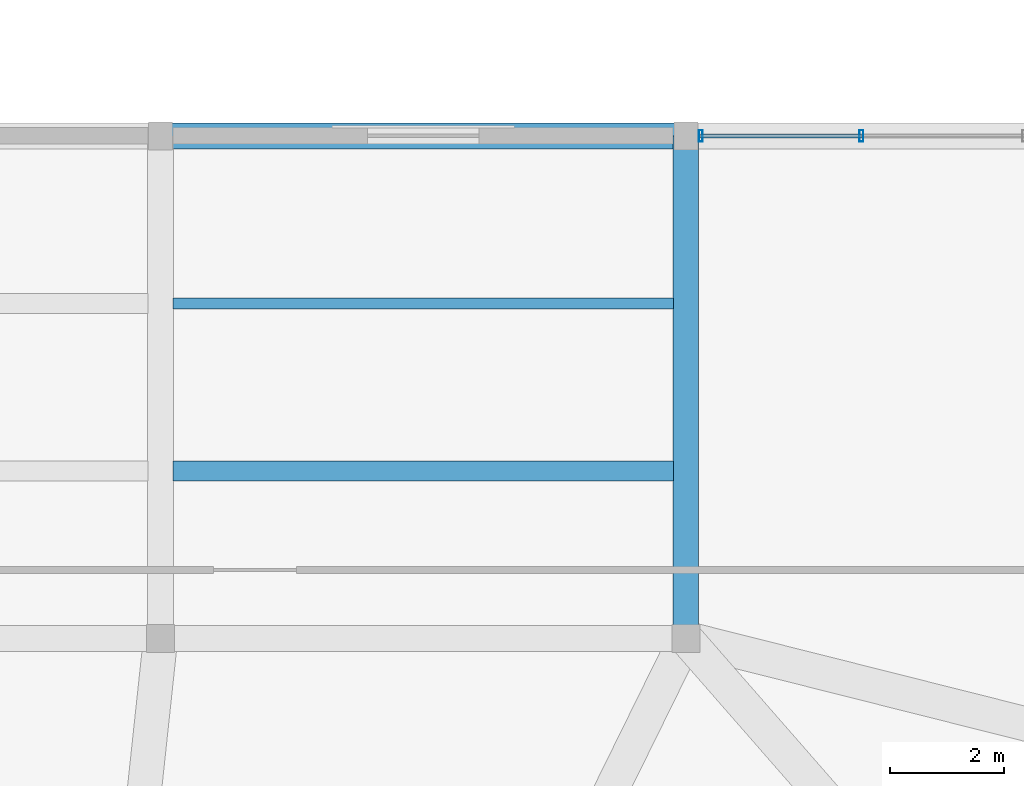
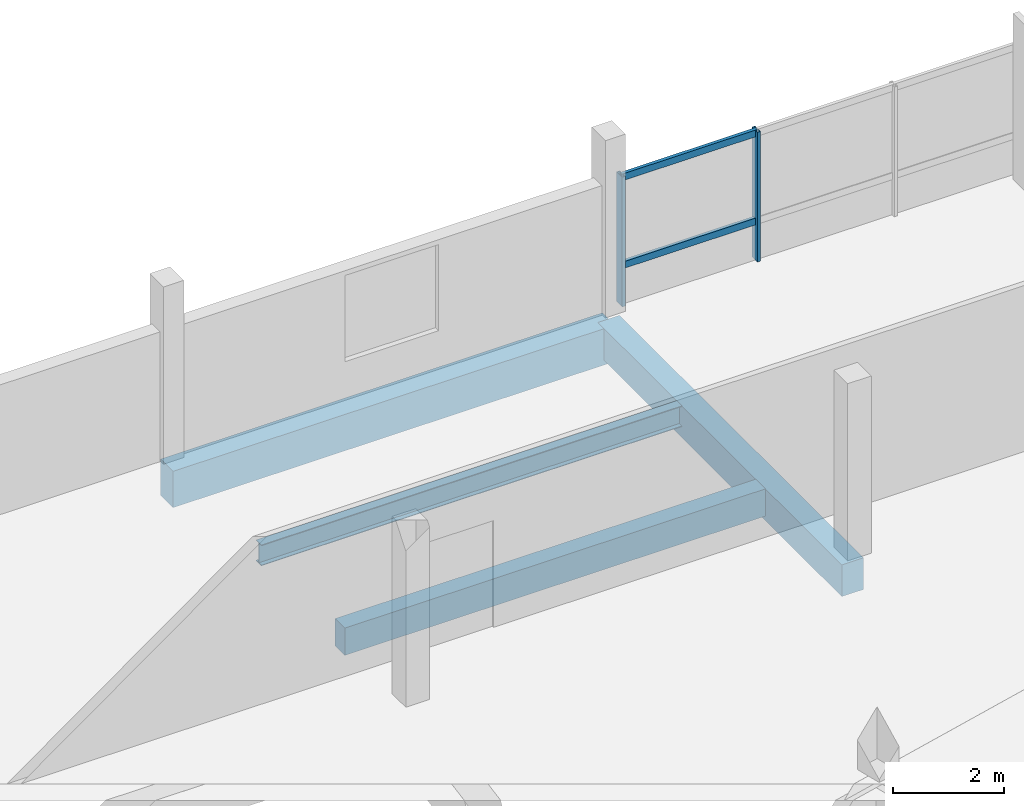
# One storey, part 36 of 62: 4 beams, 4 members, 1 element without a shape of its own.
"""IFC4 building model written with IfcOpenShell, lengths in metres."""

from ifc_helpers import new_model, si_unit, direction, frame, origin, origin_2d, place, context, subcontext, project, spatial, rectangle, hollow_rectangle, i_section, extrude, material, layer, layer_set, material_profile, profile_set, type_object, element, aggregate, save


model = new_model("IFC4")

# Units and contexts
model_context = context("Model", 3, precision=1e-05, world=origin(), true_north=direction((0.0, 1.0)))
body_context = subcontext(model_context, "Body", "Model", "MODEL_VIEW")
ifc_project = project(units=[si_unit("LENGTHUNIT", "METRE"), si_unit("AREAUNIT", "SQUARE_METRE"), si_unit("VOLUMEUNIT", "CUBIC_METRE"), si_unit("PLANEANGLEUNIT", "RADIAN"), si_unit("MASSUNIT", "GRAM", prefix="KILO")], contexts=[model_context])

# Site, building, storey
site_placement = place(None, origin())
site = spatial("IfcSite", under=ifc_project, at=site_placement, CompositionType="ELEMENT")
building_placement = place(site_placement, origin())
building = spatial("IfcBuilding", under=site, at=building_placement, Name="Meriwether Solvik Hall", CompositionType="ELEMENT")
storey_placement = place(building_placement, frame((0.0, 0.0, 14.39990234375)))
storey = spatial("IfcBuildingStorey", under=building, at=storey_placement, Name="L03", CompositionType="ELEMENT", Elevation=14.39990234375)

# Beams
ifc_material_1 = material(Name="Concrete C40/50", Category="concrete")
ifc_material_profile_1 = material_profile(ifc_material_1, rectangle(XDim=0.35009765625, YDim=0.60009765625, at=origin_2d()), Name="RCB-350X600")
ifc_profile_set_1 = profile_set([ifc_material_profile_1], Name="Concrete C40/50")
beam_type_1 = type_object("IfcBeamType", Name="BM-RC-350X600", PredefinedType="JOIST", material=ifc_profile_set_1)
beam_1_placement = place(storey_placement, frame((68.820068359375, 86.933349609375, -0.544921875), z_axis=(1.0, 0.0, 0.0), x_axis=(0.0, 1.0, 0.0)))
element("IfcBeam", 1, at=beam_1_placement, inside=storey, type_object=beam_type_1, Name="Secondary Floor Joist 8/J_J1 (L03)", PredefinedType="JOIST", context=body_context, shape_type="SweptSolid", body=[
    extrude(rectangle(XDim=0.35009765625, YDim=0.60009765625, at=origin_2d()), origin(), (0.0, 0.0, 1.0), 8.760009765625),
])
ifc_material_2 = material(Name="Concrete C40/50", Category="concrete")
ifc_material_profile_2 = material_profile(ifc_material_2, rectangle(XDim=0.449951171875, YDim=0.699951171875, at=origin_2d()), Name="RCB-450X700")
ifc_profile_set_2 = profile_set([ifc_material_profile_2], Name="Concrete C40/50")
beam_type_2 = type_object("IfcBeamType", Name="BM-RC-450X700", PredefinedType="BEAM", material=ifc_profile_set_2)
beam_2_placement = place(storey_placement, frame((77.800048828125, 84.0, -0.594970703125), z_axis=(0.0, 1.0, 0.0), x_axis=(-1.0, 0.0, 0.0)))
element("IfcBeam", 2, at=beam_2_placement, inside=storey, type_object=beam_type_2, Name="Podium Girder 9:J-K (L03)", PredefinedType="BEAM", context=body_context, shape_type="SweptSolid", body=[
    extrude(rectangle(XDim=0.449951171875, YDim=0.699951171875, at=origin_2d()), origin(), (0.0, 0.0, 1.0), 8.800048828125),
])
ifc_material_3 = material(Name="Concrete C40/50", Category="concrete")
ifc_material_profile_3 = material_profile(ifc_material_3, rectangle(XDim=0.449951171875, YDim=0.800048828125, at=origin_2d()), Name="RCB-450X800")
ifc_profile_set_3 = profile_set([ifc_material_profile_3], Name="Concrete C40/50")
beam_type_3 = type_object("IfcBeamType", Name="BM-RC-450X800", PredefinedType="BEAM", material=ifc_profile_set_3)
beam_3_placement = place(storey_placement, frame((68.60009765625, 92.800048828125, -0.64501953125), z_axis=(1.0, 0.0, 0.0), x_axis=(0.0, 1.0, 0.0)))
element("IfcBeam", 3, at=beam_3_placement, inside=storey, type_object=beam_type_3, Name="Podium Girder K:8-9 (L03)", PredefinedType="BEAM", context=body_context, shape_type="SweptSolid", body=[
    extrude(rectangle(XDim=0.449951171875, YDim=0.800048828125, at=origin_2d()), origin(), (0.0, 0.0, 1.0), 9.199951171875),
])
ifc_material_4 = material(Name="Steel A992 Grade 50", Category="steel")
ifc_material_profile_4 = material_profile(ifc_material_4, i_section(OverallWidth=0.19091796875, OverallDepth=0.45703125, WebThickness=0.009033203125, FlangeThickness=0.014404296875, at=origin_2d()), Name="W18X50")
ifc_profile_set_4 = profile_set([ifc_material_profile_4], Name="Steel A992 Grade 50")
beam_type_4 = type_object("IfcBeamType", Name="BM-STL-W18X50", PredefinedType="JOIST", material=ifc_profile_set_4)
beam_4_placement = place(storey_placement, frame((68.820068359375, 89.86669921875, -0.473388671875), z_axis=(1.0, 0.0, 0.0), x_axis=(0.0, 1.0, 0.0)))
element("IfcBeam", 4, at=beam_4_placement, inside=storey, type_object=beam_type_4, Name="Secondary Floor Joist 8/J_J2 (L03)", PredefinedType="JOIST", context=body_context, shape_type="SweptSolid", body=[
    extrude(i_section(OverallWidth=0.19091796875, OverallDepth=0.45703125, WebThickness=0.009033203125, FlangeThickness=0.014404296875, at=origin_2d()), origin(), (0.0, 0.0, 1.0), 8.760009765625),
])

# Curtain wall, members
ifc_material_5 = material(Name="Thermally Broken Anodised Aluminium 6063-T6 and Low-E Glass", Category="aluminium")
ifc_layer = layer(ifc_material_5, 0.179931640625)
ifc_layer_set = layer_set([ifc_layer], Name="Thermally Broken Anodised Aluminium 6063-T6 and Low-E Glass")
curtain_wall_type = type_object("IfcCurtainWallType", Name="CW-UNIT-E", PredefinedType="USERDEFINED", material=ifc_layer_set)
curtain_wall_placement = place(storey_placement, origin())
curtain_wall = element("IfcCurtainWall", 5, at=curtain_wall_placement, inside=storey, type_object=curtain_wall_type, Name="Curtain Wall wing_XK_9_14 (L03)", ObjectType="UNITISED CURTAIN WALL", PredefinedType="USERDEFINED")
ifc_material_6 = material(Name="Anodised Aluminium 6063-T6", Category="aluminium")
ifc_material_profile_5 = material_profile(ifc_material_6, hollow_rectangle(XDim=0.070068359375, YDim=0.199951171875, WallThickness=0.0048828125, at=origin_2d()), Name="CWM-70X200")
ifc_profile_set_5 = profile_set([ifc_material_profile_5], Name="Anodised Aluminium 6063-T6")
member_type_1 = type_object("IfcMemberType", Name="CW-MUL-70X200", PredefinedType="MULLION", material=ifc_profile_set_5)
member_1_placement = place(storey_placement, frame((78.06005859375, 92.800048828125, 0.0), z_axis=(0.0, 0.0, 1.0), x_axis=(1.0, 0.0, 0.0)))
member_1 = element("IfcMember", 6, at=member_1_placement, type_object=member_type_1, Name="Curtain Wall Mullion 1", PredefinedType="MULLION", context=body_context, shape_type="SweptSolid", body=[
    extrude(hollow_rectangle(XDim=0.070068359375, YDim=0.199951171875, WallThickness=0.0048828125, at=origin_2d()), origin(), (0.0, 0.0, 1.0), 2.85498046875),
])
member_2_placement = place(storey_placement, frame((80.8740234375, 92.800048828125, 0.0), z_axis=(0.0, 0.0, 1.0), x_axis=(1.0, 0.0, 0.0)))
member_2 = element("IfcMember", 7, at=member_2_placement, type_object=member_type_1, Name="Curtain Wall Mullion 2", PredefinedType="MULLION", context=body_context, shape_type="SweptSolid", body=[
    extrude(hollow_rectangle(XDim=0.070068359375, YDim=0.199951171875, WallThickness=0.0048828125, at=origin_2d()), origin(), (0.0, 0.0, 1.0), 2.85498046875),
])
ifc_material_7 = material(Name="Anodised Aluminium 6063-T6", Category="aluminium")
ifc_material_profile_6 = material_profile(ifc_material_7, hollow_rectangle(XDim=0.070068359375, YDim=0.14990234375, WallThickness=0.0048828125, at=origin_2d()), Name="CWT-70X150")
ifc_profile_set_6 = profile_set([ifc_material_profile_6], Name="Anodised Aluminium 6063-T6")
member_type_2 = type_object("IfcMemberType", Name="CW-TRN-70X150", PredefinedType="USERDEFINED", material=ifc_profile_set_6)
member_3_placement = place(storey_placement, frame((78.06005859375, 92.800048828125, 0.856689453125), z_axis=(1.0, 0.0, 0.0), x_axis=(0.0, 1.0, 0.0)))
member_3 = element("IfcMember", 8, at=member_3_placement, type_object=member_type_2, Name="Curtain Wall Transom 1-sill", ObjectType="TRANSOM", PredefinedType="USERDEFINED", context=body_context, shape_type="SweptSolid", body=[
    extrude(hollow_rectangle(XDim=0.070068359375, YDim=0.14990234375, WallThickness=0.0048828125, at=origin_2d()), origin(), (0.0, 0.0, 1.0), 2.81396484375),
])
member_4_placement = place(storey_placement, frame((78.06005859375, 92.800048828125, 2.795166015625), z_axis=(1.0, 0.0, 0.0), x_axis=(0.0, 1.0, 0.0)))
member_4 = element("IfcMember", 9, at=member_4_placement, type_object=member_type_2, Name="Curtain Wall Transom 1-head", ObjectType="TRANSOM", PredefinedType="USERDEFINED", context=body_context, shape_type="SweptSolid", body=[
    extrude(hollow_rectangle(XDim=0.070068359375, YDim=0.14990234375, WallThickness=0.0048828125, at=origin_2d()), origin(), (0.0, 0.0, 1.0), 2.81396484375),
])
aggregate(curtain_wall, [member_1, member_2, member_3, member_4])

save(model, "model.ifc")
